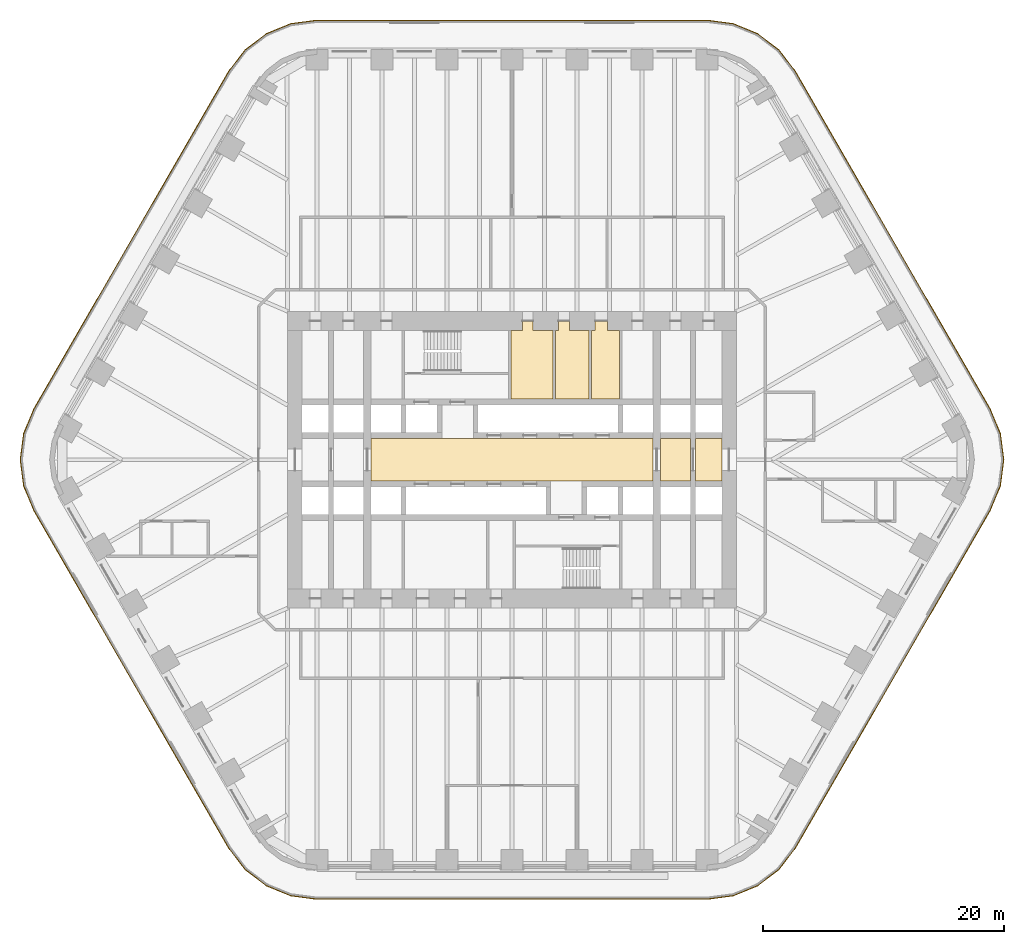
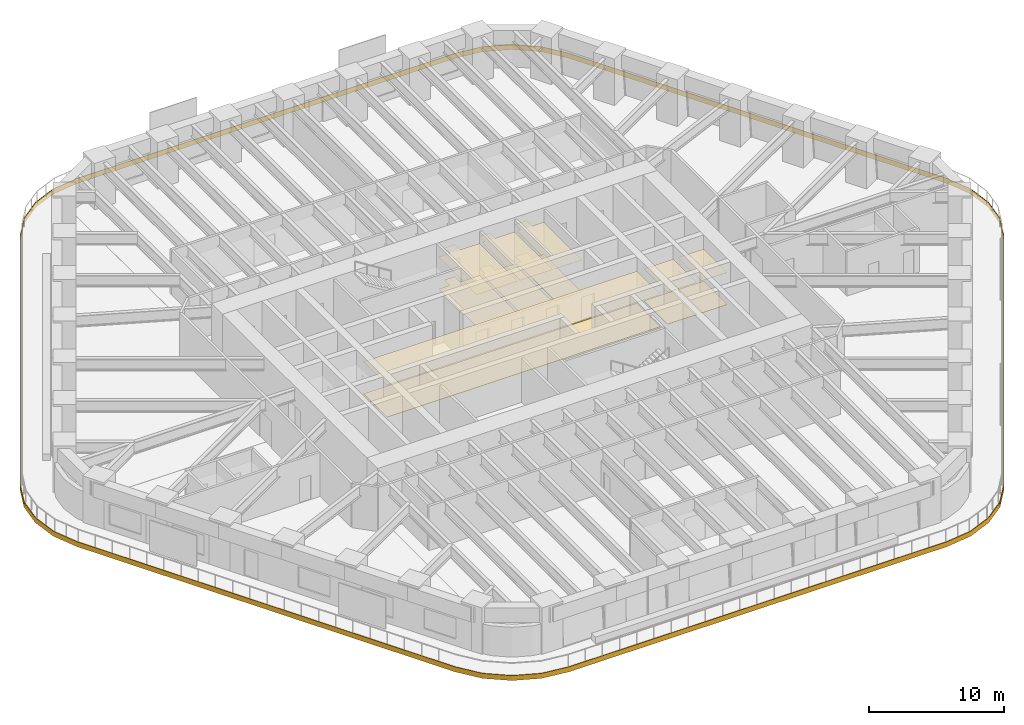
# One storey, part 22 of 23: 13 coverings.
"""IFC4 building model written with IfcOpenShell, lengths in metres."""

from ifc_helpers import new_model, si_unit, direction, frame, origin, place, context, subcontext, project, spatial, polyline, outline, extrude, material, layer, layer_set, type_object, element, save


model = new_model("IFC4")

# Units and contexts
model_context = context("Model", 3, precision=1e-05, world=origin(), true_north=direction((0.0, 1.0)))
body_context = subcontext(model_context, "Body", "Model", "MODEL_VIEW")
ifc_project = project(units=[si_unit("LENGTHUNIT", "METRE"), si_unit("AREAUNIT", "SQUARE_METRE"), si_unit("VOLUMEUNIT", "CUBIC_METRE"), si_unit("PLANEANGLEUNIT", "RADIAN"), si_unit("MASSUNIT", "GRAM", prefix="KILO")], contexts=[model_context])

# Site, building, storey
site_placement = place(None, origin())
site = spatial("IfcSite", under=ifc_project, at=site_placement, CompositionType="ELEMENT")
building_placement = place(site_placement, origin())
building = spatial("IfcBuilding", under=site, at=building_placement, Name="Tarfa Lantern Tower", CompositionType="ELEMENT")
storey_placement = place(building_placement, frame((0.0, 0.0, 99.10009765625)))
storey = spatial("IfcBuildingStorey", under=building, at=storey_placement, Name="L22", CompositionType="ELEMENT", Elevation=99.10009765625)

# Coverings
ifc_material_1 = material(Name="Moisture-resistant plasterboard", Category="finish")
ifc_layer_1 = layer(ifc_material_1, 0.014892578125)
ifc_layer_set_1 = layer_set([ifc_layer_1], Name="CL2 MOISTURE-RESISTANT PLASTERBOARD CEILING 15")
covering_type_1 = type_object("IfcCoveringType", Name="CL2 MOISTURE-RESISTANT PLASTERBOARD CEILING 15", PredefinedType="CEILING", material=ifc_layer_set_1)
covering_1_placement = place(storey_placement, frame((0.0, 0.0, 2.89990234375)))
element("IfcCovering", 1, at=covering_1_placement, inside=storey, type_object=covering_type_1, Name="Ceiling L22-09", PredefinedType="CEILING", context=body_context, shape_type="SweptSolid", body=[
    extrude(outline(polyline([(0.85009765625, 10.699951171875), (-0.10009765625, 10.699951171875), (-0.10009765625, 5.050048828125), (3.39990234375, 5.050048828125), (3.39990234375, 10.699951171875), (1.75, 10.699951171875), (1.75, 11.5), (0.85009765625, 11.5), (0.85009765625, 11.5), (0.85009765625, 10.699951171875)])), origin(), (0.0, 0.0, 1.0), 0.014892578125),
])
covering_2_placement = place(storey_placement, frame((0.0, 0.0, 2.89990234375)))
element("IfcCovering", 2, at=covering_2_placement, inside=storey, type_object=covering_type_1, Name="Ceiling L22-10", PredefinedType="CEILING", context=body_context, shape_type="SweptSolid", body=[
    extrude(outline(polyline([(3.60009765625, 5.050048828125), (6.39990234375, 5.050048828125), (6.39990234375, 10.699951171875), (4.75, 10.699951171875), (4.75, 11.5), (3.85009765625, 11.5), (3.85009765625, 10.699951171875), (3.60009765625, 10.699951171875), (3.60009765625, 5.050048828125)])), origin(), (0.0, 0.0, 1.0), 0.014892578125),
])
covering_3_placement = place(storey_placement, frame((0.0, 0.0, 2.89990234375)))
element("IfcCovering", 3, at=covering_3_placement, inside=storey, type_object=covering_type_1, Name="Ceiling L22-11", PredefinedType="CEILING", context=body_context, shape_type="SweptSolid", body=[
    extrude(outline(polyline([(6.60009765625, 5.050048828125), (8.89990234375, 5.050048828125), (8.89990234375, 10.699951171875), (7.89990234375, 10.699951171875), (7.89990234375, 11.5), (6.89990234375, 11.5), (6.89990234375, 10.699951171875), (6.60009765625, 10.699951171875), (6.60009765625, 5.050048828125)])), origin(), (0.0, 0.0, 1.0), 0.014892578125),
])
ifc_material_2 = material(Name="Powder-coated aluminium panel", Category="aluminium")
ifc_layer_2 = layer(ifc_material_2, 0.030029296875)
ifc_layer_set_2 = layer_set([ifc_layer_2], Name="CL3 METAL PANEL CEILING 30")
covering_type_2 = type_object("IfcCoveringType", Name="CL3 METAL PANEL CEILING 30", PredefinedType="CEILING", material=ifc_layer_set_2)
covering_4_placement = place(storey_placement, frame((0.0, 0.0, 2.89990234375)))
element("IfcCovering", 4, at=covering_4_placement, inside=storey, type_object=covering_type_2, Name="Ceiling L22-03", PredefinedType="CEILING", context=body_context, shape_type="SweptSolid", body=[
    extrude(outline(polyline([(-11.699951171875, -1.75), (11.699951171875, -1.75), (11.699951171875, 1.75), (-11.699951171875, 1.75), (-11.699951171875, -1.75)])), origin(), (0.0, 0.0, 1.0), 0.030029296875),
])
covering_5_placement = place(storey_placement, frame((0.0, 0.0, 2.89990234375)))
element("IfcCovering", 5, at=covering_5_placement, inside=storey, type_object=covering_type_2, Name="Ceiling L22-04", PredefinedType="CEILING", context=body_context, shape_type="SweptSolid", body=[
    extrude(outline(polyline([(12.300048828125, -1.75), (14.800048828125, -1.75), (14.800048828125, 1.75), (12.300048828125, 1.75), (12.300048828125, -1.75)])), origin(), (0.0, 0.0, 1.0), 0.030029296875),
])
covering_6_placement = place(storey_placement, frame((0.0, 0.0, 2.89990234375)))
element("IfcCovering", 6, at=covering_6_placement, inside=storey, type_object=covering_type_2, Name="Ceiling L22-05", PredefinedType="CEILING", context=body_context, shape_type="SweptSolid", body=[
    extrude(outline(polyline([(15.199951171875, -1.75), (17.39990234375, -1.75), (17.39990234375, 1.75), (15.199951171875, 1.75), (15.199951171875, -1.75)])), origin(), (0.0, 0.0, 1.0), 0.030029296875),
])
ifc_material_3 = material(Name="Honed limestone flooring", Category="masonry")
ifc_layer_3 = layer(ifc_material_3, 0.030029296875)
ifc_layer_set_3 = layer_set([ifc_layer_3], Name="FL2 STONE FLOORING 30")
covering_type_3 = type_object("IfcCoveringType", Name="FL2 STONE FLOORING 30", PredefinedType="FLOORING", material=ifc_layer_set_3)
covering_7_placement = place(storey_placement, origin())
element("IfcCovering", 7, at=covering_7_placement, inside=storey, type_object=covering_type_3, Name="Floor finish L22-03", PredefinedType="FLOORING", context=body_context, shape_type="SweptSolid", body=[
    extrude(outline(polyline([(-11.699951171875, -1.75), (11.699951171875, -1.75), (11.699951171875, 1.75), (-11.699951171875, 1.75), (-11.699951171875, -1.75)])), origin(), (0.0, 0.0, 1.0), 0.02978515625),
])
covering_8_placement = place(storey_placement, origin())
element("IfcCovering", 8, at=covering_8_placement, inside=storey, type_object=covering_type_3, Name="Floor finish L22-04", PredefinedType="FLOORING", context=body_context, shape_type="SweptSolid", body=[
    extrude(outline(polyline([(12.300048828125, -1.75), (14.800048828125, -1.75), (14.800048828125, 1.75), (12.300048828125, 1.75), (12.300048828125, -1.75)])), origin(), (0.0, 0.0, 1.0), 0.02978515625),
])
covering_9_placement = place(storey_placement, origin())
element("IfcCovering", 9, at=covering_9_placement, inside=storey, type_object=covering_type_3, Name="Floor finish L22-05", PredefinedType="FLOORING", context=body_context, shape_type="SweptSolid", body=[
    extrude(outline(polyline([(15.199951171875, -1.75), (17.39990234375, -1.75), (17.39990234375, 1.75), (15.199951171875, 1.75), (15.199951171875, -1.75)])), origin(), (0.0, 0.0, 1.0), 0.02978515625),
])
ifc_material_4 = material(Name="Porcelain floor tile", Category="finish")
ifc_layer_4 = layer(ifc_material_4, 0.011962890625)
ifc_layer_set_4 = layer_set([ifc_layer_4], Name="FL3 CERAMIC TILE 12")
covering_type_4 = type_object("IfcCoveringType", Name="FL3 CERAMIC TILE 12", PredefinedType="FLOORING", material=ifc_layer_set_4)
covering_10_placement = place(storey_placement, origin())
element("IfcCovering", 10, at=covering_10_placement, inside=storey, type_object=covering_type_4, Name="Floor finish L22-09", PredefinedType="FLOORING", context=body_context, shape_type="SweptSolid", body=[
    extrude(outline(polyline([(0.85009765625, 10.699951171875), (-0.10009765625, 10.699951171875), (-0.10009765625, 5.050048828125), (3.39990234375, 5.050048828125), (3.39990234375, 10.699951171875), (1.75, 10.699951171875), (1.75, 11.5), (0.85009765625, 11.5), (0.85009765625, 11.5), (0.85009765625, 10.699951171875)])), origin(), (0.0, 0.0, 1.0), 0.011962890625),
])
covering_11_placement = place(storey_placement, origin())
element("IfcCovering", 11, at=covering_11_placement, inside=storey, type_object=covering_type_4, Name="Floor finish L22-10", PredefinedType="FLOORING", context=body_context, shape_type="SweptSolid", body=[
    extrude(outline(polyline([(3.60009765625, 5.050048828125), (6.39990234375, 5.050048828125), (6.39990234375, 10.699951171875), (4.75, 10.699951171875), (4.75, 11.5), (3.85009765625, 11.5), (3.85009765625, 10.699951171875), (3.60009765625, 10.699951171875), (3.60009765625, 5.050048828125)])), origin(), (0.0, 0.0, 1.0), 0.011962890625),
])
covering_12_placement = place(storey_placement, origin())
element("IfcCovering", 12, at=covering_12_placement, inside=storey, type_object=covering_type_4, Name="Floor finish L22-11", PredefinedType="FLOORING", context=body_context, shape_type="SweptSolid", body=[
    extrude(outline(polyline([(6.60009765625, 5.050048828125), (8.89990234375, 5.050048828125), (8.89990234375, 10.699951171875), (7.89990234375, 10.699951171875), (7.89990234375, 11.5), (6.89990234375, 11.5), (6.89990234375, 10.699951171875), (6.60009765625, 10.699951171875), (6.60009765625, 5.050048828125)])), origin(), (0.0, 0.0, 1.0), 0.011962890625),
])
ifc_material_5 = material(Name="Limestone cladding on brackets", Category="masonry")
ifc_layer_5 = layer(ifc_material_5, 0.050048828125)
ifc_layer_set_5 = layer_set([ifc_layer_5], Name="SB1 STONE BAND CLADDING 50")
covering_type_5 = type_object("IfcCoveringType", Name="SB1 STONE BAND CLADDING 50", PredefinedType="CLADDING", material=ifc_layer_set_5)
covering_13_placement = place(storey_placement, frame((0.0, 0.0, -0.400146484375)))
element("IfcCovering", 13, at=covering_13_placement, inside=storey, type_object=covering_type_5, Name="Stone band", PredefinedType="CLADDING", context=body_context, shape_type="SweptSolid", body=[
    extrude(outline(polyline([(39.6494140625, 4.22509765625), (23.483642578125, 32.22509765625), (22.140869140625, 33.97509765625), (20.390869140625, 35.31787109375), (18.352783203125, 36.162109375), (16.165771484375, 36.449951171875), (-16.165771484375, 36.449951171875), (-18.352783203125, 36.162109375), (-20.390869140625, 35.31787109375), (-22.140869140625, 33.97509765625), (-23.483642578125, 32.22509765625), (-39.6494140625, 4.22509765625), (-40.49365234375, 2.18701171875), (-40.781494140625, 0.0), (-40.49365234375, -2.18701171875), (-39.6494140625, -4.22509765625), (-23.483642578125, -32.22509765625), (-22.140869140625, -33.97509765625), (-20.390869140625, -35.31787109375), (-18.352783203125, -36.162109375), (-16.165771484375, -36.449951171875), (16.165771484375, -36.449951171875), (18.352783203125, -36.162109375), (20.390869140625, -35.31787109375), (22.140869140625, -33.97509765625), (23.483642578125, -32.22509765625), (39.6494140625, -4.22509765625), (40.49365234375, -2.18701171875), (40.781494140625, 0.0), (40.49365234375, 2.18701171875), (39.6494140625, 4.22509765625)]), holes=[polyline([(39.606201171875, 4.199951171875), (23.4404296875, 32.199951171875), (22.10546875, 33.939697265625), (20.36572265625, 35.274658203125), (18.33984375, 36.11376953125), (16.165771484375, 36.39990234375), (-16.165771484375, 36.39990234375), (-18.33984375, 36.11376953125), (-20.36572265625, 35.274658203125), (-22.10546875, 33.939697265625), (-23.4404296875, 32.199951171875), (-39.606201171875, 4.199951171875), (-40.4453125, 2.174072265625), (-40.731689453125, 0.0), (-40.4453125, -2.174072265625), (-39.606201171875, -4.199951171875), (-23.4404296875, -32.199951171875), (-22.10546875, -33.939697265625), (-20.36572265625, -35.274658203125), (-18.33984375, -36.11376953125), (-16.165771484375, -36.39990234375), (16.165771484375, -36.39990234375), (18.33984375, -36.11376953125), (20.36572265625, -35.274658203125), (22.10546875, -33.939697265625), (23.4404296875, -32.199951171875), (39.606201171875, -4.199951171875), (40.4453125, -2.174072265625), (40.731689453125, 0.0), (40.4453125, 2.174072265625), (39.606201171875, 4.199951171875)])]), origin(), (0.0, 0.0, 1.0), 0.449951171875),
])

save(model, "model.ifc")
